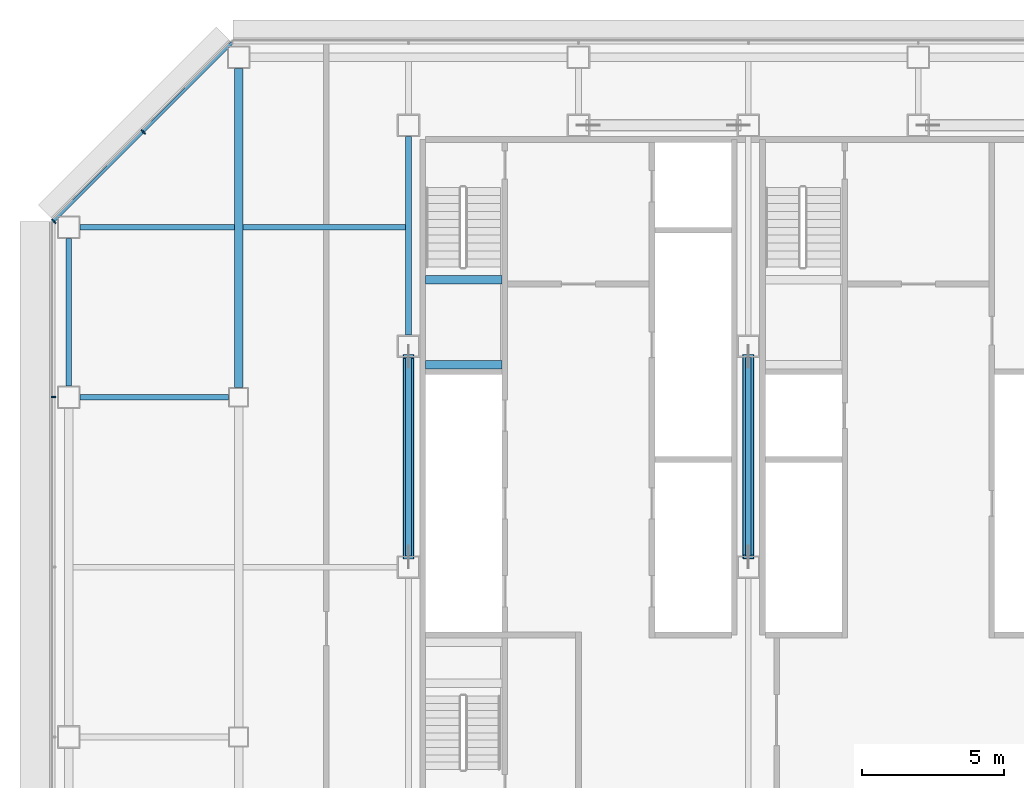
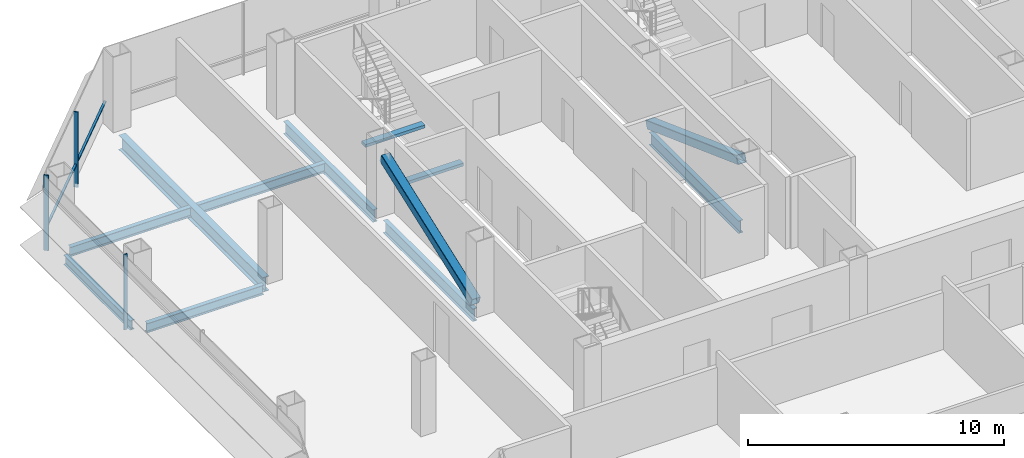
# One storey, part 10 of 26: 10 beams, 6 members, 2 elements without a shape of their own.
"""IFC4 building model written with IfcOpenShell, lengths in metres."""

from ifc_helpers import new_model, si_unit, direction, frame, origin, origin_2d, place, context, subcontext, project, spatial, rectangle, hollow_rectangle, i_section, extrude, material, material_profile, profile_set, type_object, element, aggregate, save


model = new_model("IFC4")

# Units and contexts
model_context = context("Model", 3, precision=1e-05, world=origin(), true_north=direction((0.0, 1.0)))
body_context = subcontext(model_context, "Body", "Model", "MODEL_VIEW")
ifc_project = project(units=[si_unit("LENGTHUNIT", "METRE"), si_unit("AREAUNIT", "SQUARE_METRE"), si_unit("VOLUMEUNIT", "CUBIC_METRE"), si_unit("PLANEANGLEUNIT", "RADIAN"), si_unit("MASSUNIT", "GRAM", prefix="KILO")], contexts=[model_context])

# Site, building, storey
site_placement = place(None, origin())
site = spatial("IfcSite", under=ifc_project, at=site_placement, CompositionType="ELEMENT")
building_placement = place(site_placement, origin())
building = spatial("IfcBuilding", under=site, at=building_placement, Name="Sorahane Residences", CompositionType="ELEMENT")
storey_placement = place(building_placement, frame((0.0, 0.0, 103.39990234375)))
storey = spatial("IfcBuildingStorey", under=building, at=storey_placement, Name="L22", CompositionType="ELEMENT", Elevation=103.39990234375)

# Members
ifc_material_1 = material(Name="Steel Q355B", Category="steel")
ifc_material_profile_1 = material_profile(ifc_material_1, hollow_rectangle(XDim=0.39990234375, YDim=0.39990234375, WallThickness=0.02001953125, InnerFilletRadius=0.010009765625, OuterFilletRadius=0.030029296875, at=origin_2d()), Name="RHS 400x400x20")
ifc_profile_set_1 = profile_set([ifc_material_profile_1], Name="Steel Q355B")
member_type_1 = type_object("IfcMemberType", Name="Core brace RHS 400x400x20 Q355B", PredefinedType="BRACE", material=ifc_profile_set_1)
for number, where, z_axis, x_axis, name in (
    (1, (6.0, 30.358642578125, 0.184814453125), (0.0, 0.938723182636, 0.344671998257), (-1.0, 0.0, 0.0), "Core brace L22 x6-2"),
    (2, (18.0, 37.44140625, 0.184814453125), (0.0, -0.938723182636, 0.344671998257), (1.0, 0.0, 0.0), "Core brace L22 x18-1"),
):
    element("IfcMember", number, at=place(storey_placement, frame(where, z_axis=z_axis, x_axis=x_axis)), inside=storey, type_object=member_type_1, Name=name, PredefinedType="BRACE", context=body_context, shape_type="SweptSolid", body=[
        extrude(hollow_rectangle(XDim=0.39990234375, YDim=0.39990234375, WallThickness=0.02001953125, InnerFilletRadius=0.010009765625, OuterFilletRadius=0.030029296875, at=origin_2d()), origin(), (0.0, 0.0, 1.0), 7.545166015625),
    ])

# Curtain wall, member
ifc_material_2 = material(Name="Dark low-e glass and black anodised aluminium", Category="aluminium")
curtain_wall_type_1 = type_object("IfcCurtainWallType", Name="Curtain wall CW-1 Typical unitised wall", PredefinedType="NOTDEFINED", material=ifc_material_2)
curtain_wall_1_placement = place(storey_placement, origin())
curtain_wall_1 = element("IfcCurtainWall", 3, at=curtain_wall_1_placement, inside=storey, type_object=curtain_wall_type_1, Name="CW-1 curtain wall L22 W2", PredefinedType="NOTDEFINED")
ifc_material_3 = material(Name="Black anodised aluminium", Category="aluminium")
ifc_material_profile_2 = material_profile(ifc_material_3, rectangle(XDim=0.159912109375, YDim=0.050048828125, at=origin_2d()), Name="Curtain wall mullion CW-1 black anodised aluminium 50x160")
ifc_profile_set_2 = profile_set([ifc_material_profile_2], Name="Black anodised aluminium")
member_type_2 = type_object("IfcMemberType", Name="Curtain wall mullion CW-1 black anodised aluminium 50x160", PredefinedType="MULLION", material=ifc_profile_set_2)
member_1_placement = place(storey_placement, frame((-6.5400390625, 36.0, -0.179931640625), z_axis=(0.0, 0.0, 1.0), x_axis=(-1.0, 0.0, 0.0)))
member_1 = element("IfcMember", 4, at=member_1_placement, type_object=member_type_2, Name="CW-1 mullion L22 W2.2", PredefinedType="MULLION", context=body_context, shape_type="SweptSolid", body=[
    extrude(rectangle(XDim=0.159912109375, YDim=0.050048828125, at=origin_2d()), origin(), (0.0, 0.0, 1.0), 3.60009765625),
])
aggregate(curtain_wall_1, [member_1])

# Curtain wall, members
ifc_material_4 = material(Name="Dark low-e glass and black anodised aluminium", Category="aluminium")
curtain_wall_type_2 = type_object("IfcCurtainWallType", Name="Curtain wall CW-2 Chamfer unitised wall", PredefinedType="NOTDEFINED", material=ifc_material_4)
curtain_wall_2_placement = place(storey_placement, origin())
curtain_wall_2 = element("IfcCurtainWall", 5, at=curtain_wall_2_placement, inside=storey, type_object=curtain_wall_type_2, Name="CW-2 curtain wall L22 NW1", PredefinedType="NOTDEFINED")
ifc_material_5 = material(Name="Black anodised aluminium", Category="aluminium")
ifc_material_profile_3 = material_profile(ifc_material_5, rectangle(XDim=0.199951171875, YDim=0.050048828125, at=origin_2d()), Name="Curtain wall mullion CW-2 black anodised aluminium 50x200")
ifc_profile_set_3 = profile_set([ifc_material_profile_3], Name="Black anodised aluminium")
member_type_3 = type_object("IfcMemberType", Name="Curtain wall mullion CW-2 black anodised aluminium 50x200", PredefinedType="MULLION", material=ifc_profile_set_3)
member_2_placement = place(storey_placement, frame((-3.36767578125, 45.36767578125, -0.179931640625), z_axis=(0.0, 0.0, 1.0), x_axis=(-0.707106781187, 0.707106781187, 0.0)))
member_2 = element("IfcMember", 6, at=member_2_placement, type_object=member_type_3, Name="CW-2 mullion L22 NW1.2", PredefinedType="MULLION", context=body_context, shape_type="SweptSolid", body=[
    extrude(rectangle(XDim=0.199951171875, YDim=0.050048828125, at=origin_2d()), origin(), (0.0, 0.0, 1.0), 3.60009765625),
])
member_3_placement = place(storey_placement, frame((-6.525634765625, 42.209716796875, -0.179931640625), z_axis=(0.0, 0.0, 1.0), x_axis=(-0.707106781187, 0.707106781187, 0.0)))
member_3 = element("IfcMember", 7, at=member_3_placement, type_object=member_type_3, Name="CW-2 mullion L22 NW1.3", PredefinedType="MULLION", context=body_context, shape_type="SweptSolid", body=[
    extrude(rectangle(XDim=0.199951171875, YDim=0.050048828125, at=origin_2d()), origin(), (0.0, 0.0, 1.0), 3.60009765625),
])
ifc_material_6 = material(Name="Black anodised aluminium", Category="aluminium")
ifc_material_profile_4 = material_profile(ifc_material_6, rectangle(XDim=0.10009765625, YDim=0.06005859375, at=origin_2d()), Name="Curtain wall transom CW-2 black anodised aluminium 60x100")
ifc_profile_set_4 = profile_set([ifc_material_profile_4], Name="Black anodised aluminium")
member_type_4 = type_object("IfcMemberType", Name="Curtain wall transom CW-2 black anodised aluminium 60x100", PredefinedType="USERDEFINED", material=ifc_profile_set_4)
member_4_placement = place(storey_placement, frame((-0.234375, 48.51513671875, 0.900146484375), z_axis=(-0.707106781187, -0.707106781187, 0.0), x_axis=(0.707106781187, -0.707106781187, 0.0)))
member_4 = element("IfcMember", 8, at=member_4_placement, type_object=member_type_4, Name="CW-2 transom L22 NW1", ObjectType="TRANSOM", PredefinedType="USERDEFINED", context=body_context, shape_type="SweptSolid", body=[
    extrude(rectangle(XDim=0.10009765625, YDim=0.06005859375, at=origin_2d()), origin(), (0.0, 0.0, 1.0), 8.88232421875),
])
aggregate(curtain_wall_2, [member_2, member_3, member_4])

# Beams
ifc_material_7 = material(Name="Concrete C40", Category="concrete")
ifc_material_profile_5 = material_profile(ifc_material_7, rectangle(XDim=0.300048828125, YDim=0.139892578125, at=origin_2d()), Name="300x140")
ifc_profile_set_5 = profile_set([ifc_material_profile_5], Name="Concrete C40")
beam_type_1 = type_object("IfcBeamType", Name="RC landing beam 300 x 140 Concrete C40", PredefinedType="BEAM", material=ifc_profile_set_5)
for number, where, z_axis, x_axis, name in (
    (9, (6.60009765625, 37.14990234375, 1.530029296875), (1.0, 0.0, 0.0), (0.0, 1.0, 0.0), "Landing beam"),
    (10, (6.60009765625, 40.14990234375, 1.530029296875), (1.0, 0.0, 0.0), (0.0, 1.0, 0.0), "Landing beam"),
):
    element("IfcBeam", number, at=place(storey_placement, frame(where, z_axis=z_axis, x_axis=x_axis)), inside=storey, type_object=beam_type_1, Name=name, PredefinedType="BEAM", context=body_context, shape_type="SweptSolid", body=[
        extrude(rectangle(XDim=0.300048828125, YDim=0.139892578125, at=origin_2d()), origin(), (0.0, 0.0, 1.0), 2.699951171875),
    ])
ifc_material_8 = material(Name="Steel Q355B", Category="steel")
ifc_material_profile_6 = material_profile(ifc_material_8, i_section(OverallWidth=0.199951171875, OverallDepth=0.449951171875, WebThickness=0.009033203125, FlangeThickness=0.013916015625, FilletRadius=0.02001953125, at=origin_2d()), Name="HN 450x200x9x14")
ifc_profile_set_6 = profile_set([ifc_material_profile_6], Name="Steel Q355B")
beam_type_2 = type_object("IfcBeamType", Name="Steel floor beam HN 450x200x9x14 Q355B", PredefinedType="BEAM", material=ifc_profile_set_6)
beam_1_placement = place(storey_placement, frame((-5.60009765625, 36.0, -0.40478515625), z_axis=(1.0, 0.0, 0.0), x_axis=(0.0, 1.0, 0.0)))
element("IfcBeam", 11, at=beam_1_placement, inside=storey, type_object=beam_type_2, Name="Beam L22 012", PredefinedType="BEAM", context=body_context, shape_type="SweptSolid", body=[
    extrude(i_section(OverallWidth=0.199951171875, OverallDepth=0.449951171875, WebThickness=0.009033203125, FlangeThickness=0.013916015625, FilletRadius=0.02001953125, at=origin_2d()), origin(), (0.0, 0.0, 1.0), 5.25),
])
beam_2_placement = place(storey_placement, frame((-6.0, 36.39990234375, -0.40478515625), z_axis=(0.0, 1.0, 0.0), x_axis=(-1.0, 0.0, 0.0)))
element("IfcBeam", 12, at=beam_2_placement, inside=storey, type_object=beam_type_2, Name="Beam L22 022", PredefinedType="BEAM", context=body_context, shape_type="SweptSolid", body=[
    extrude(i_section(OverallWidth=0.199951171875, OverallDepth=0.449951171875, WebThickness=0.009033203125, FlangeThickness=0.013916015625, FilletRadius=0.02001953125, at=origin_2d()), origin(), (0.0, 0.0, 1.0), 5.2001953125),
])
beam_3_placement = place(storey_placement, frame((-5.60009765625, 42.0, -0.40478515625), z_axis=(1.0, 0.0, 0.0), x_axis=(0.0, 1.0, 0.0)))
element("IfcBeam", 13, at=beam_3_placement, inside=storey, type_object=beam_type_2, Name="Beam L22 084", PredefinedType="BEAM", context=body_context, shape_type="SweptSolid", body=[
    extrude(i_section(OverallWidth=0.199951171875, OverallDepth=0.449951171875, WebThickness=0.009033203125, FlangeThickness=0.013916015625, FilletRadius=0.02001953125, at=origin_2d()), origin(), (0.0, 0.0, 1.0), 5.4501953125),
])
beam_4_placement = place(storey_placement, frame((0.14990234375, 42.0, -0.40478515625), z_axis=(1.0, 0.0, 0.0), x_axis=(0.0, 1.0, 0.0)))
element("IfcBeam", 14, at=beam_4_placement, inside=storey, type_object=beam_type_2, Name="Beam L22 085", PredefinedType="BEAM", context=body_context, shape_type="SweptSolid", body=[
    extrude(i_section(OverallWidth=0.199951171875, OverallDepth=0.449951171875, WebThickness=0.009033203125, FlangeThickness=0.013916015625, FilletRadius=0.02001953125, at=origin_2d()), origin(), (0.0, 0.0, 1.0), 5.75),
])
ifc_material_9 = material(Name="Steel Q355B", Category="steel")
ifc_material_profile_7 = material_profile(ifc_material_9, i_section(OverallWidth=0.199951171875, OverallDepth=0.60009765625, WebThickness=0.010986328125, FlangeThickness=0.01708984375, FilletRadius=0.02392578125, at=origin_2d()), Name="HN 600x200x11x17")
ifc_profile_set_7 = profile_set([ifc_material_profile_7], Name="Steel Q355B")
beam_type_3 = type_object("IfcBeamType", Name="Steel floor beam HN 600x200x11x17 Q355B", PredefinedType="BEAM", material=ifc_profile_set_7)
for number, where, z_axis, x_axis, name in (
    (15, (6.0, 30.39990234375, -0.47998046875), (0.0, 1.0, 0.0), (-1.0, 0.0, 0.0), "Beam L22 030"),
    (16, (6.0, 38.199951171875, -0.47998046875), (0.0, 1.0, 0.0), (-1.0, 0.0, 0.0), "Beam L22 031"),
    (17, (18.0, 30.39990234375, -0.47998046875), (0.0, 1.0, 0.0), (-1.0, 0.0, 0.0), "Beam L22 038"),
):
    element("IfcBeam", number, at=place(storey_placement, frame(where, z_axis=z_axis, x_axis=x_axis)), inside=storey, type_object=beam_type_3, Name=name, PredefinedType="BEAM", context=body_context, shape_type="SweptSolid", body=[
        extrude(i_section(OverallWidth=0.199951171875, OverallDepth=0.60009765625, WebThickness=0.010986328125, FlangeThickness=0.01708984375, FilletRadius=0.02392578125, at=origin_2d()), origin(), (0.0, 0.0, 1.0), 7.0),
    ])
ifc_material_10 = material(Name="Steel Q355B", Category="steel")
ifc_material_profile_8 = material_profile(ifc_material_10, i_section(OverallWidth=0.300048828125, OverallDepth=0.699951171875, WebThickness=0.012939453125, FlangeThickness=0.02392578125, FilletRadius=0.028076171875, at=origin_2d()), Name="HN 700x300x13x24")
ifc_profile_set_8 = profile_set([ifc_material_profile_8], Name="Steel Q355B")
beam_type_4 = type_object("IfcBeamType", Name="Steel floor beam HN 700x300x13x24 Q355B", PredefinedType="BEAM", material=ifc_profile_set_8)
beam_5_placement = place(storey_placement, frame((0.0, 36.35009765625, -0.52978515625), z_axis=(0.0, 1.0, 0.0), x_axis=(-1.0, 0.0, 0.0)))
element("IfcBeam", 18, at=beam_5_placement, inside=storey, type_object=beam_type_4, Name="Beam L22 026", PredefinedType="BEAM", context=body_context, shape_type="SweptSolid", body=[
    extrude(i_section(OverallWidth=0.300048828125, OverallDepth=0.699951171875, WebThickness=0.012939453125, FlangeThickness=0.02392578125, FilletRadius=0.028076171875, at=origin_2d()), origin(), (0.0, 0.0, 1.0), 11.25),
])

save(model, "model.ifc")
